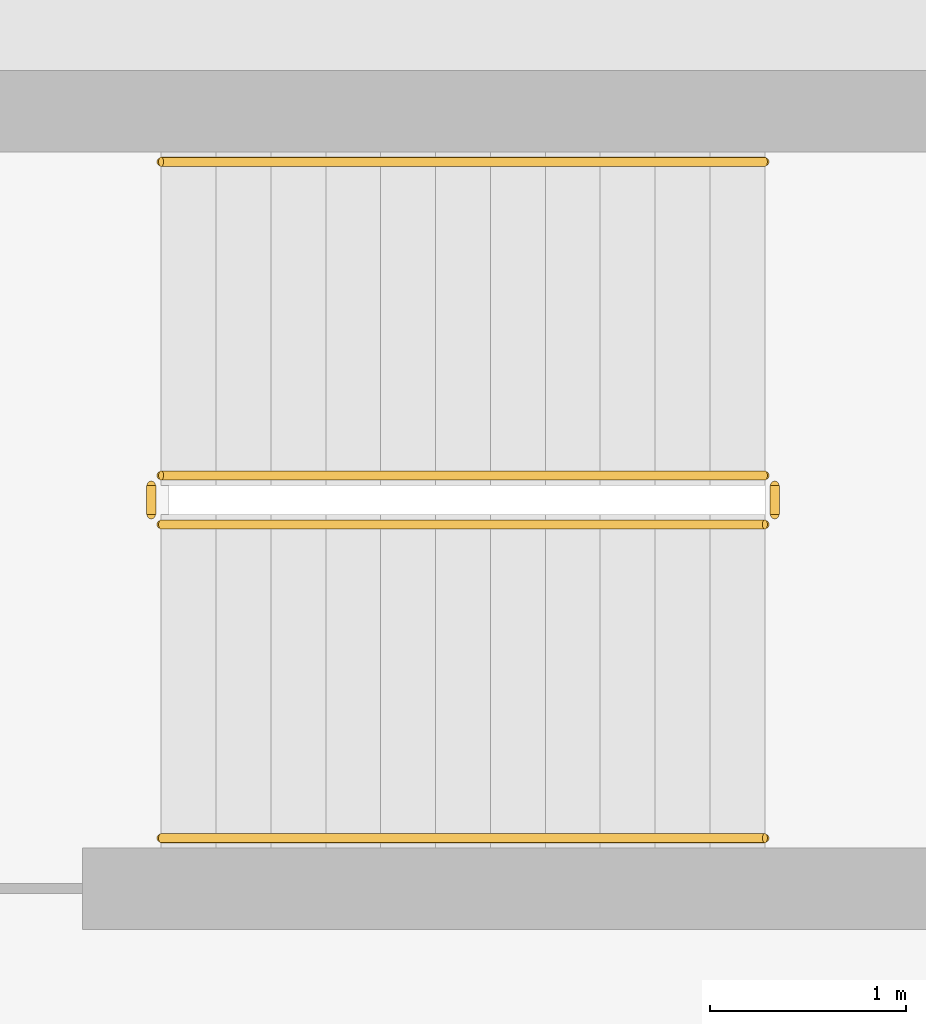
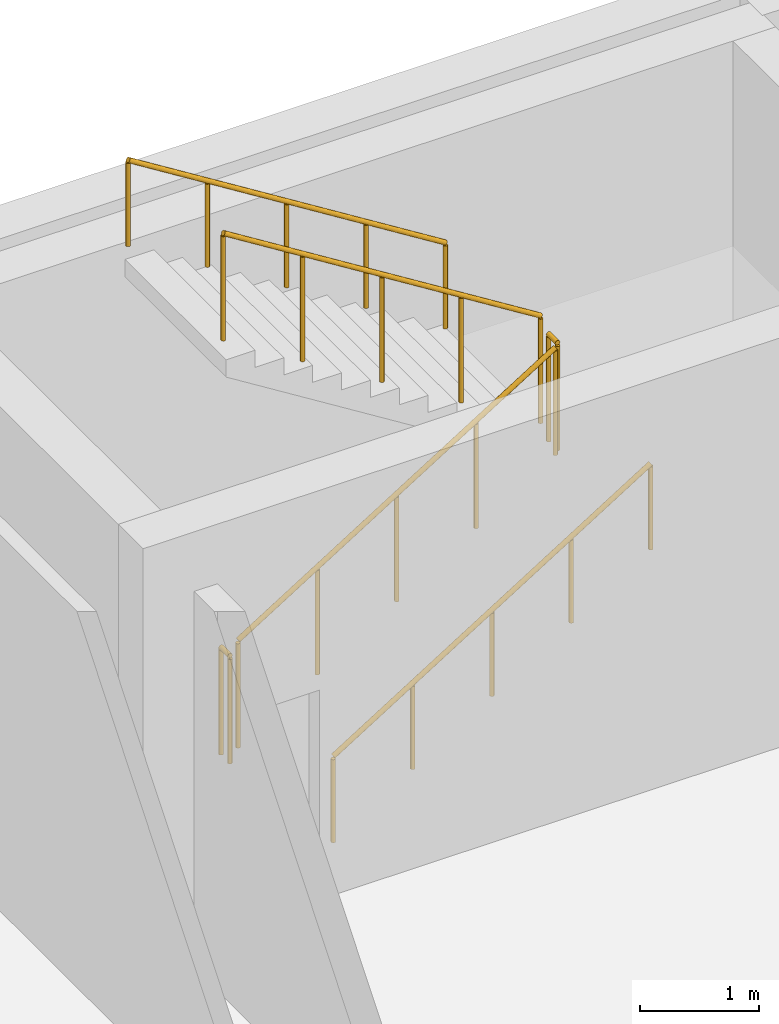
# One storey, part 30 of 31: 6 railings.
"""IFC4 building model written with IfcOpenShell, lengths in metres."""

from ifc_helpers import new_model, si_unit, direction, frame, origin, origin_2d, place, context, subcontext, project, spatial, circle, extrude, material, type_object, element, save


model = new_model("IFC4")

# Units and contexts
model_context = context("Model", 3, precision=1e-05, world=origin(), true_north=direction((0.0, 1.0)))
body_context = subcontext(model_context, "Body", "Model", "MODEL_VIEW")
ifc_project = project(units=[si_unit("LENGTHUNIT", "METRE"), si_unit("AREAUNIT", "SQUARE_METRE"), si_unit("VOLUMEUNIT", "CUBIC_METRE"), si_unit("PLANEANGLEUNIT", "RADIAN"), si_unit("MASSUNIT", "GRAM", prefix="KILO")], contexts=[model_context])

# Site, building, storey
site_placement = place(None, origin())
site = spatial("IfcSite", under=ifc_project, at=site_placement, CompositionType="ELEMENT")
building_placement = place(site_placement, origin())
building = spatial("IfcBuilding", under=site, at=building_placement, Name="Qalavern Law Courts", CompositionType="ELEMENT")
storey_placement = place(building_placement, frame((0.0, 0.0, -4.199951171875)))
storey = spatial("IfcBuildingStorey", under=building, at=storey_placement, Name="B1", CompositionType="ELEMENT", Elevation=-4.199951171875)

# Railings
ifc_material = material(Name="Steel S355", Category="steel")
railing_type_1 = type_object("IfcRailingType", Name="INT-GUARD-1120", PredefinedType="BALUSTRADE", material=ifc_material)
railing_1_placement = place(storey_placement, frame((21.699951171875, 110.10009765625, 0.175048828125)))
element("IfcRailing", 1, at=railing_1_placement, inside=storey, type_object=railing_type_1, Name="B1 ST-K3 stair guard 1", PredefinedType="BALUSTRADE", context=body_context, shape_type="SweptSolid", body=[
    extrude(circle(Radius=0.02392578125, at=origin_2d()), frame((0.0, 0.0, 1.09619140625), z_axis=(0.848028513186, 0.0, 0.529950602248), x_axis=(0.0, 1.0, 0.0)), (0.0, 0.0, 1.0), 3.632080078125),
    extrude(circle(Radius=0.02099609375, at=origin_2d()), origin(), (0.0, 0.0, 1.0), 1.072021484375),
    extrude(circle(Radius=0.02099609375, at=origin_2d()), frame((0.77001953125, 0.0, 0.481201171875)), (0.0, 0.0, 1.0), 1.072021484375),
    extrude(circle(Radius=0.02099609375, at=origin_2d()), frame((1.5400390625, 0.0, 0.96240234375)), (0.0, 0.0, 1.0), 1.072021484375),
    extrude(circle(Radius=0.02099609375, at=origin_2d()), frame((2.31005859375, 0.0, 1.443603515625)), (0.0, 0.0, 1.0), 1.072021484375),
    extrude(circle(Radius=0.02099609375, at=origin_2d()), frame((3.080078125, 0.0, 1.9248046875)), (0.0, 0.0, 1.0), 1.072021484375),
])
railing_2_placement = place(storey_placement, frame((24.830078125, 110.14990234375, 2.099853515625)))
element("IfcRailing", 2, at=railing_2_placement, inside=storey, type_object=railing_type_1, Name="B1 ST-K3 stair guard 2", PredefinedType="BALUSTRADE", context=body_context, shape_type="SweptSolid", body=[
    extrude(circle(Radius=0.02392578125, at=origin_2d()), frame((0.0, 0.0, 1.09619140625), z_axis=(0.0, 1.0, 0.0), x_axis=(-1.0, 0.0, 0.0)), (0.0, 0.0, 1.0), 0.150146484375),
    extrude(circle(Radius=0.02099609375, at=origin_2d()), origin(), (0.0, 0.0, 1.0), 1.072021484375),
    extrude(circle(Radius=0.02099609375, at=origin_2d()), frame((0.0, 0.150146484375, 0.0)), (0.0, 0.0, 1.0), 1.072021484375),
])
railing_3_placement = place(storey_placement, frame((24.780029296875, 110.35009765625, 2.27490234375)))
element("IfcRailing", 3, at=railing_3_placement, inside=storey, type_object=railing_type_1, Name="B1 ST-K3 stair guard 3", PredefinedType="BALUSTRADE", context=body_context, shape_type="SweptSolid", body=[
    extrude(circle(Radius=0.02392578125, at=origin_2d()), frame((0.0, 0.0, 1.09619140625), z_axis=(-0.847998304005, 0.0, 0.529998940003), x_axis=(0.0, -1.0, 0.0)), (0.0, 0.0, 1.0), 3.632080078125),
    extrude(circle(Radius=0.02099609375, at=origin_2d()), origin(), (0.0, 0.0, 1.0), 1.072021484375),
    extrude(circle(Radius=0.02099609375, at=origin_2d()), frame((-0.77001953125, 0.0, 0.481201171875)), (0.0, 0.0, 1.0), 1.072021484375),
    extrude(circle(Radius=0.02099609375, at=origin_2d()), frame((-1.5400390625, 0.0, 0.96240234375)), (0.0, 0.0, 1.0), 1.072021484375),
    extrude(circle(Radius=0.02099609375, at=origin_2d()), frame((-2.31005859375, 0.0, 1.44384765625)), (0.0, 0.0, 1.0), 1.072021484375),
    extrude(circle(Radius=0.02099609375, at=origin_2d()), frame((-3.080078125, 0.0, 1.925048828125)), (0.0, 0.0, 1.0), 1.072021484375),
])
railing_4_placement = place(storey_placement, frame((21.64990234375, 110.14990234375, 0.0)))
element("IfcRailing", 4, at=railing_4_placement, inside=storey, type_object=railing_type_1, Name="B1 ST-K3 stair guard 4", PredefinedType="BALUSTRADE", context=body_context, shape_type="SweptSolid", body=[
    extrude(circle(Radius=0.02392578125, at=origin_2d()), frame((0.0, 0.0, 1.09619140625), z_axis=(0.0, 1.0, 0.0), x_axis=(-1.0, 0.0, 0.0)), (0.0, 0.0, 1.0), 0.150146484375),
    extrude(circle(Radius=0.02099609375, at=origin_2d()), origin(), (0.0, 0.0, 1.0), 1.072021484375),
    extrude(circle(Radius=0.02099609375, at=origin_2d()), frame((0.0, 0.150146484375, 0.0)), (0.0, 0.0, 1.0), 1.072021484375),
])
railing_type_2 = type_object("IfcRailingType", Name="INT-HRAIL-920", PredefinedType="HANDRAIL", material=ifc_material)
railing_5_placement = place(storey_placement, frame((21.699951171875, 108.5, 0.175048828125)))
element("IfcRailing", 5, at=railing_5_placement, inside=storey, type_object=railing_type_2, Name="B1 ST-K3 stair handrail 1", PredefinedType="HANDRAIL", context=body_context, shape_type="SweptSolid", body=[
    extrude(circle(Radius=0.02392578125, at=origin_2d()), frame((0.0, 0.0, 0.8759765625), z_axis=(0.848028513186, 0.0, 0.529950602248), x_axis=(0.0, 1.0, 0.0)), (0.0, 0.0, 1.0), 3.632080078125),
    extrude(circle(Radius=0.02099609375, at=origin_2d()), origin(), (0.0, 0.0, 1.0), 0.851806640625),
    extrude(circle(Radius=0.02099609375, at=origin_2d()), frame((0.77001953125, 0.0, 0.481201171875)), (0.0, 0.0, 1.0), 0.851806640625),
    extrude(circle(Radius=0.02099609375, at=origin_2d()), frame((1.5400390625, 0.0, 0.96240234375)), (0.0, 0.0, 1.0), 0.851806640625),
    extrude(circle(Radius=0.02099609375, at=origin_2d()), frame((2.31005859375, 0.0, 1.443603515625)), (0.0, 0.0, 1.0), 0.851806640625),
    extrude(circle(Radius=0.02099609375, at=origin_2d()), frame((3.080078125, 0.0, 1.9248046875)), (0.0, 0.0, 1.0), 0.851806640625),
])
railing_6_placement = place(storey_placement, frame((24.780029296875, 111.949951171875, 2.27490234375)))
element("IfcRailing", 6, at=railing_6_placement, inside=storey, type_object=railing_type_2, Name="B1 ST-K3 stair handrail 2", PredefinedType="HANDRAIL", context=body_context, shape_type="SweptSolid", body=[
    extrude(circle(Radius=0.02392578125, at=origin_2d()), frame((0.0, 0.0, 0.8759765625), z_axis=(-0.847998304005, 0.0, 0.529998940003), x_axis=(0.0, -1.0, 0.0)), (0.0, 0.0, 1.0), 3.632080078125),
    extrude(circle(Radius=0.02099609375, at=origin_2d()), origin(), (0.0, 0.0, 1.0), 0.851806640625),
    extrude(circle(Radius=0.02099609375, at=origin_2d()), frame((-0.77001953125, 0.0, 0.481201171875)), (0.0, 0.0, 1.0), 0.851806640625),
    extrude(circle(Radius=0.02099609375, at=origin_2d()), frame((-1.5400390625, 0.0, 0.96240234375)), (0.0, 0.0, 1.0), 0.851806640625),
    extrude(circle(Radius=0.02099609375, at=origin_2d()), frame((-2.31005859375, 0.0, 1.44384765625)), (0.0, 0.0, 1.0), 0.851806640625),
    extrude(circle(Radius=0.02099609375, at=origin_2d()), frame((-3.080078125, 0.0, 1.925048828125)), (0.0, 0.0, 1.0), 0.851806640625),
])

save(model, "model.ifc")
